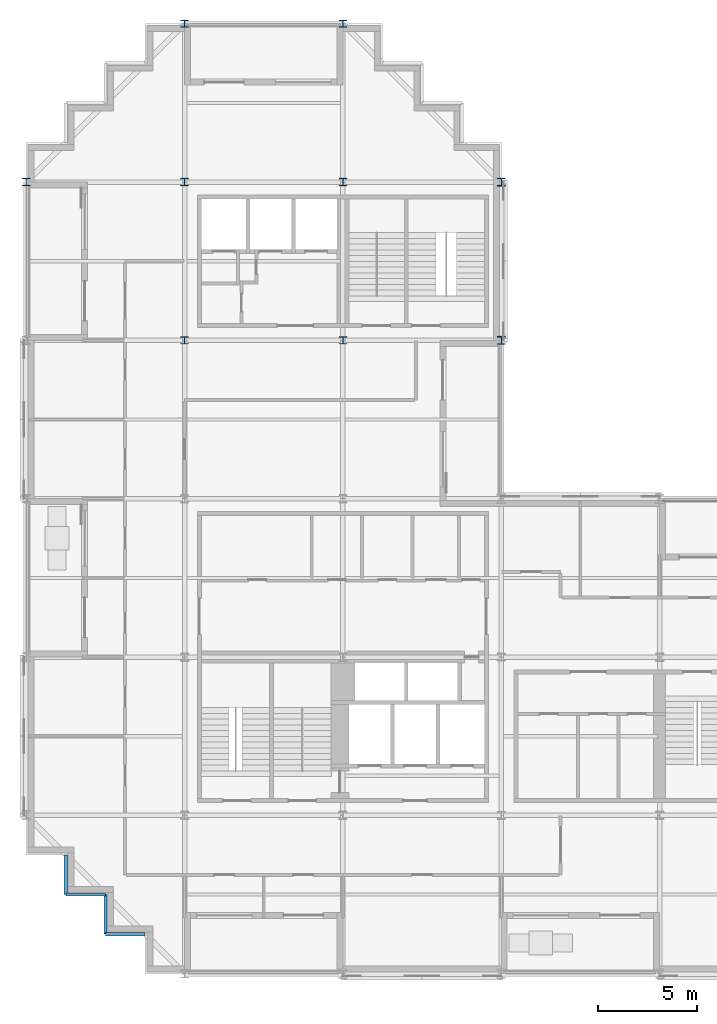
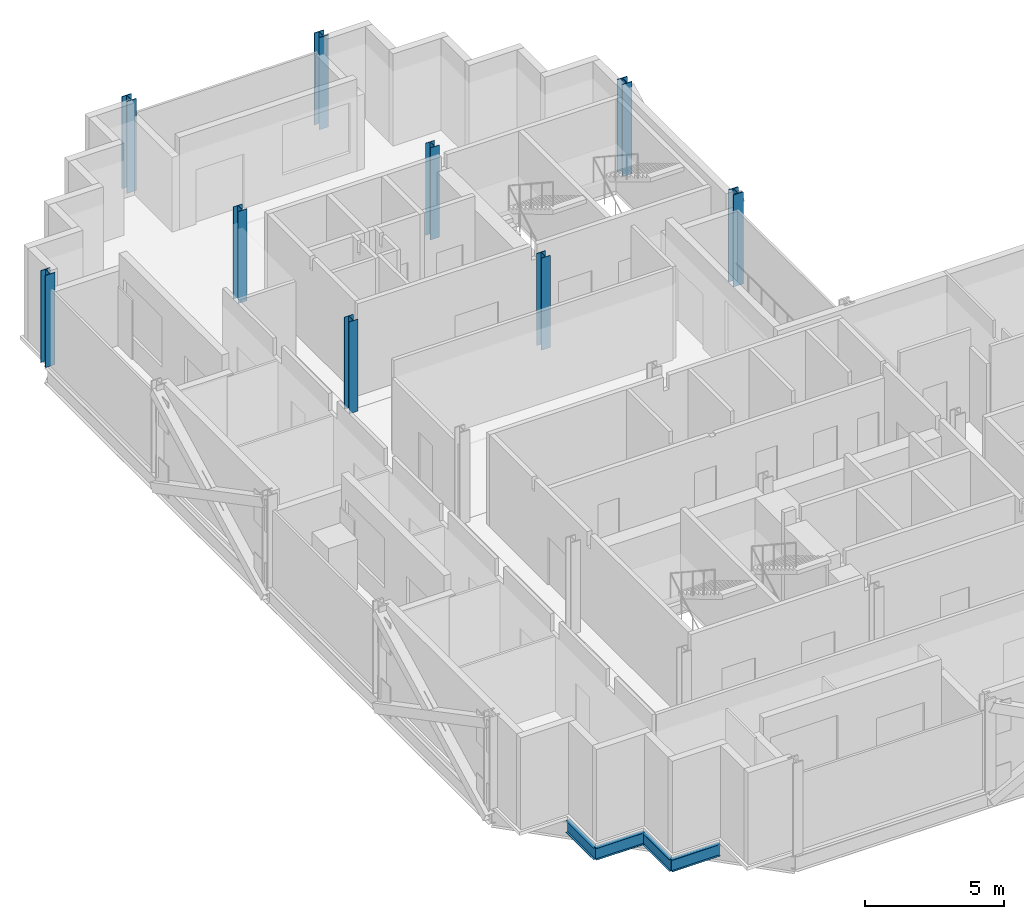
# One storey, part 2 of 12: 9 columns, 4 beams.
"""IFC4 building model written with IfcOpenShell, lengths in metres."""

from ifc_helpers import new_model, si_unit, direction, frame, origin, origin_2d, place, context, subcontext, project, spatial, i_section, extrude, material, material_profile, profile_set, type_object, element, save


model = new_model("IFC4")

# Units and contexts
model_context = context("Model", 3, precision=1e-05, world=origin(), true_north=direction((0.0, 1.0)))
body_context = subcontext(model_context, "Body", "Model", "MODEL_VIEW")
ifc_project = project(units=[si_unit("LENGTHUNIT", "METRE"), si_unit("AREAUNIT", "SQUARE_METRE"), si_unit("VOLUMEUNIT", "CUBIC_METRE"), si_unit("PLANEANGLEUNIT", "RADIAN"), si_unit("MASSUNIT", "GRAM", prefix="KILO")], contexts=[model_context])

# Site, building, storey
site_placement = place(None, origin())
site = spatial("IfcSite", under=ifc_project, at=site_placement, CompositionType="ELEMENT")
building_placement = place(site_placement, origin())
building = spatial("IfcBuilding", under=site, at=building_placement, Name="Immortelle Media Tower", CompositionType="ELEMENT")
storey_placement = place(building_placement, frame((0.0, 0.0, 136.800048828125)))
storey = spatial("IfcBuildingStorey", under=building, at=storey_placement, Name="L27", CompositionType="ELEMENT", Elevation=136.800048828125)

# Columns
ifc_material = material(Name="Steel ASTM A992 Gr 50", Category="steel")
ifc_material_profile_1 = material_profile(ifc_material, i_section(OverallWidth=0.39404296875, OverallDepth=0.3759765625, WebThickness=0.01708984375, FlangeThickness=0.028076171875, at=origin_2d()), Name="W14x145")
ifc_profile_set_1 = profile_set([ifc_material_profile_1], Name="Steel ASTM A992 Gr 50")
column_type_1 = type_object("IfcColumnType", Name="W14x145 column", PredefinedType="COLUMN", material=ifc_profile_set_1)
for number, where, z_axis, x_axis, name in (
    (1, (0.0, 40.0, 0.0), (0.0, 0.0, 1.0), (1.0, 0.0, 0.0), "Column 1/F"),
    (2, (8.0, 48.0, 0.0), (0.0, 0.0, 1.0), (1.0, 0.0, 0.0), "Column 2/G"),
    (3, (16.0, 48.0, 0.0), (0.0, 0.0, 1.0), (1.0, 0.0, 0.0), "Column 3/G"),
):
    element("IfcColumn", number, at=place(storey_placement, frame(where, z_axis=z_axis, x_axis=x_axis)), inside=storey, type_object=column_type_1, Name=name, PredefinedType="COLUMN", context=body_context, shape_type="SweptSolid", body=[
        extrude(i_section(OverallWidth=0.39404296875, OverallDepth=0.3759765625, WebThickness=0.01708984375, FlangeThickness=0.028076171875, at=origin_2d()), origin(), (0.0, 0.0, 1.0), 4.050048828125),
    ])
ifc_material_profile_2 = material_profile(ifc_material, i_section(OverallWidth=0.40087890625, OverallDepth=0.39892578125, WebThickness=0.02490234375, FlangeThickness=0.0400390625, at=origin_2d()), Name="W14x211")
ifc_profile_set_2 = profile_set([ifc_material_profile_2], Name="Steel ASTM A992 Gr 50")
column_type_2 = type_object("IfcColumnType", Name="W14x211 column", PredefinedType="COLUMN", material=ifc_profile_set_2)
for number, where, z_axis, x_axis, name in (
    (4, (24.0, 32.0, 0.0), (0.0, 0.0, 1.0), (1.0, 0.0, 0.0), "Column 4/E"),
    (5, (24.0, 40.0, 0.0), (0.0, 0.0, 1.0), (1.0, 0.0, 0.0), "Column 4/F"),
):
    element("IfcColumn", number, at=place(storey_placement, frame(where, z_axis=z_axis, x_axis=x_axis)), inside=storey, type_object=column_type_2, Name=name, PredefinedType="COLUMN", context=body_context, shape_type="SweptSolid", body=[
        extrude(i_section(OverallWidth=0.40087890625, OverallDepth=0.39892578125, WebThickness=0.02490234375, FlangeThickness=0.0400390625, at=origin_2d()), origin(), (0.0, 0.0, 1.0), 4.050048828125),
    ])
ifc_material_profile_3 = material_profile(ifc_material, i_section(OverallWidth=0.37109375, OverallDepth=0.361083984375, WebThickness=0.011962890625, FlangeThickness=0.02001953125, at=origin_2d()), Name="W14x99")
ifc_profile_set_3 = profile_set([ifc_material_profile_3], Name="Steel ASTM A992 Gr 50")
column_type_3 = type_object("IfcColumnType", Name="W14x99 column", PredefinedType="COLUMN", material=ifc_profile_set_3)
for number, where, z_axis, x_axis, name in (
    (6, (8.0, 32.0, 0.0), (0.0, 0.0, 1.0), (1.0, 0.0, 0.0), "Column 2/E"),
    (7, (8.0, 40.0, 0.0), (0.0, 0.0, 1.0), (1.0, 0.0, 0.0), "Column 2/F"),
    (8, (16.0, 32.0, 0.0), (0.0, 0.0, 1.0), (1.0, 0.0, 0.0), "Column 3/E"),
    (9, (16.0, 40.0, 0.0), (0.0, 0.0, 1.0), (1.0, 0.0, 0.0), "Column 3/F"),
):
    element("IfcColumn", number, at=place(storey_placement, frame(where, z_axis=z_axis, x_axis=x_axis)), inside=storey, type_object=column_type_3, Name=name, PredefinedType="COLUMN", context=body_context, shape_type="SweptSolid", body=[
        extrude(i_section(OverallWidth=0.37109375, OverallDepth=0.361083984375, WebThickness=0.011962890625, FlangeThickness=0.02001953125, at=origin_2d()), origin(), (0.0, 0.0, 1.0), 4.050048828125),
    ])

# Beams
ifc_material_profile_4 = material_profile(ifc_material, i_section(OverallWidth=0.1650390625, OverallDepth=0.52587890625, WebThickness=0.009033203125, FlangeThickness=0.010986328125, at=origin_2d()), Name="W21x44")
ifc_profile_set_4 = profile_set([ifc_material_profile_4], Name="Steel ASTM A992 Gr 50")
beam_type = type_object("IfcBeamType", Name="W21x44 serration edge beam", PredefinedType="SPANDREL", material=ifc_profile_set_4)
for number, where, z_axis, x_axis, name in (
    (10, (6.0, 2.0, -0.4130859375), (-1.0, 0.0, 0.0), (0.0, -1.0, 0.0), "Corner edge beam 1 at 1/A"),
    (11, (4.0, 2.0, -0.4130859375), (0.0, 1.0, 0.0), (-1.0, 0.0, 0.0), "Corner edge beam 2 at 1/A"),
    (12, (4.0, 4.0, -0.4130859375), (-1.0, 0.0, 0.0), (0.0, -1.0, 0.0), "Corner edge beam 3 at 1/A"),
    (13, (2.0, 4.0, -0.4130859375), (0.0, 1.0, 0.0), (-1.0, 0.0, 0.0), "Corner edge beam 4 at 1/A"),
):
    element("IfcBeam", number, at=place(storey_placement, frame(where, z_axis=z_axis, x_axis=x_axis)), inside=storey, type_object=beam_type, Name=name, PredefinedType="SPANDREL", context=body_context, shape_type="SweptSolid", body=[
        extrude(i_section(OverallWidth=0.1650390625, OverallDepth=0.52587890625, WebThickness=0.009033203125, FlangeThickness=0.010986328125, at=origin_2d()), origin(), (0.0, 0.0, 1.0), 2.0),
    ])

save(model, "model.ifc")
